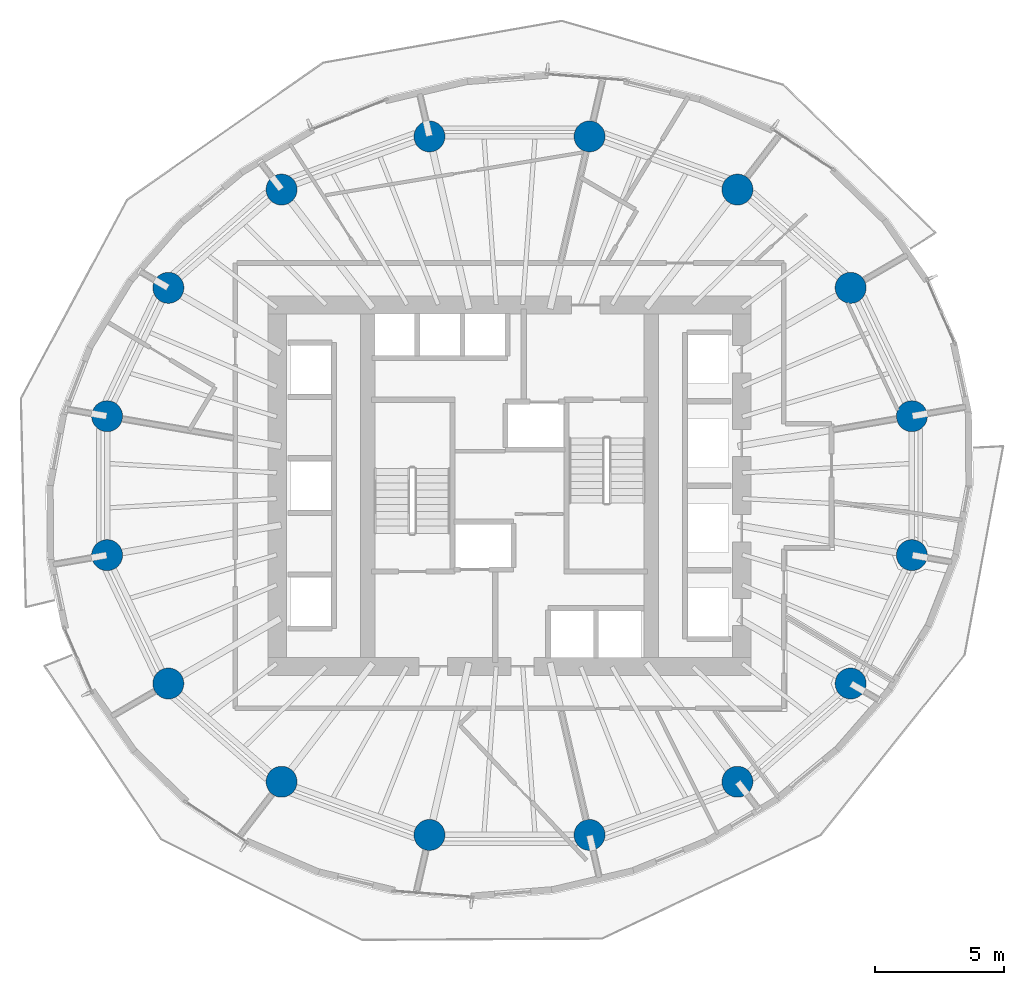
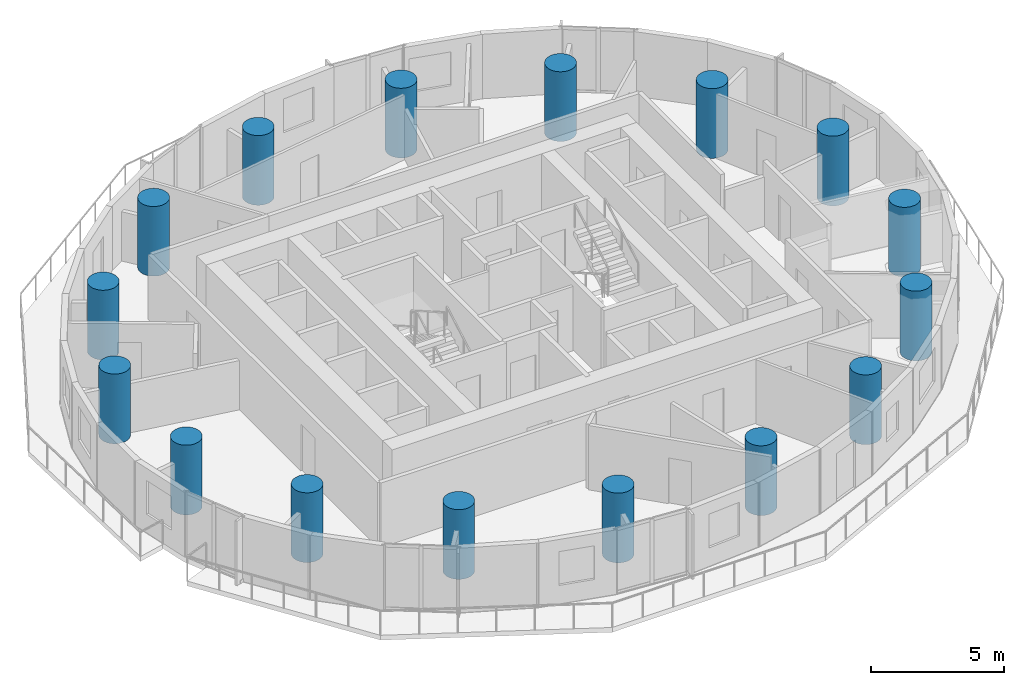
# One storey, part 1 of 14: 16 columns.
"""IFC4 building model written with IfcOpenShell, lengths in metres."""

from ifc_helpers import new_model, si_unit, direction, frame, origin, origin_2d, place, context, subcontext, project, spatial, circle, extrude, material, material_profile, profile_set, type_object, element, save


model = new_model("IFC4")

# Units and contexts
model_context = context("Model", 3, precision=1e-05, world=origin(), true_north=direction((0.0, 1.0)))
body_context = subcontext(model_context, "Body", "Model", "MODEL_VIEW")
ifc_project = project(units=[si_unit("LENGTHUNIT", "METRE"), si_unit("AREAUNIT", "SQUARE_METRE"), si_unit("VOLUMEUNIT", "CUBIC_METRE"), si_unit("PLANEANGLEUNIT", "RADIAN"), si_unit("MASSUNIT", "GRAM", prefix="KILO")], contexts=[model_context])

# Site, building, storey
site_placement = place(None, origin())
site = spatial("IfcSite", under=ifc_project, at=site_placement, CompositionType="ELEMENT")
building_placement = place(site_placement, origin())
building = spatial("IfcBuilding", under=site, at=building_placement, Name="Veldorim Arch Residences", CompositionType="ELEMENT")
storey_placement = place(building_placement, frame((0.0, 0.0, 74.080078125)))
storey = spatial("IfcBuildingStorey", under=building, at=storey_placement, Name="L21", CompositionType="ELEMENT", Elevation=74.080078125)

# Columns
ifc_material = material(Name="Concrete C60/75", Category="concrete")
ifc_material_profile = material_profile(ifc_material, circle(Radius=0.60009765625, at=origin_2d()), Name="RC_CIRC_1200")
ifc_profile_set = profile_set([ifc_material_profile], Name="Concrete C60/75")
column_type = type_object("IfcColumnType", Name="Structural Column RC_CIRC_1200", PredefinedType="COLUMN", material=ifc_profile_set)
for number, where, z_axis, x_axis, name in (
    (1, (47.594482421875, 26.692138671875, 0.0), (0.0, 0.0, 1.0), (1.0, 0.0, 0.0), "L21 TC-Z2-01 perimeter column"),
    (2, (45.220458984375, 31.6669921875, 0.0), (0.0, 0.0, 1.0), (1.0, 0.0, 0.0), "L21 TC-Z2-02 perimeter column"),
    (3, (40.83349609375, 35.474365234375, 0.0), (0.0, 0.0, 1.0), (1.0, 0.0, 0.0), "L21 TC-Z2-03 perimeter column"),
    (4, (35.101806640625, 37.534912109375, 0.0), (0.0, 0.0, 1.0), (1.0, 0.0, 0.0), "L21 TC-Z2-04 perimeter column"),
    (5, (28.898193359375, 37.534912109375, 0.0), (0.0, 0.0, 1.0), (1.0, 0.0, 0.0), "L21 TC-Z2-05 perimeter column"),
    (6, (23.16650390625, 35.474365234375, 0.0), (0.0, 0.0, 1.0), (1.0, 0.0, 0.0), "L21 TC-Z2-06 perimeter column"),
    (7, (18.779541015625, 31.6669921875, 0.0), (0.0, 0.0, 1.0), (1.0, 0.0, 0.0), "L21 TC-Z2-07 perimeter column"),
    (8, (16.405517578125, 26.692138671875, 0.0), (0.0, 0.0, 1.0), (1.0, 0.0, 0.0), "L21 TC-Z2-08 perimeter column"),
    (9, (16.405517578125, 21.307861328125, 0.0), (0.0, 0.0, 1.0), (1.0, 0.0, 0.0), "L21 TC-Z2-09 perimeter column"),
    (10, (18.779541015625, 16.3330078125, 0.0), (0.0, 0.0, 1.0), (1.0, 0.0, 0.0), "L21 TC-Z2-10 perimeter column"),
    (11, (23.16650390625, 12.525634765625, 0.0), (0.0, 0.0, 1.0), (1.0, 0.0, 0.0), "L21 TC-Z2-11 perimeter column"),
    (12, (28.898193359375, 10.465087890625, 0.0), (0.0, 0.0, 1.0), (1.0, 0.0, 0.0), "L21 TC-Z2-12 perimeter column"),
    (13, (35.101806640625, 10.465087890625, 0.0), (0.0, 0.0, 1.0), (1.0, 0.0, 0.0), "L21 TC-Z2-13 perimeter column"),
    (14, (40.83349609375, 12.525634765625, 0.0), (0.0, 0.0, 1.0), (1.0, 0.0, 0.0), "L21 TC-Z2-14 perimeter column"),
    (15, (45.220458984375, 16.3330078125, 0.0), (0.0, 0.0, 1.0), (1.0, 0.0, 0.0), "L21 TC-Z2-15 perimeter column"),
    (16, (47.594482421875, 21.307861328125, 0.0), (0.0, 0.0, 1.0), (1.0, 0.0, 0.0), "L21 TC-Z2-16 perimeter column"),
):
    element("IfcColumn", number, at=place(storey_placement, frame(where, z_axis=z_axis, x_axis=x_axis)), inside=storey, type_object=column_type, Name=name, PredefinedType="COLUMN", context=body_context, shape_type="SweptSolid", body=[
        extrude(circle(Radius=0.60009765625, at=origin_2d()), origin(), (0.0, 0.0, 1.0), 3.199951171875),
    ])

save(model, "model.ifc")
